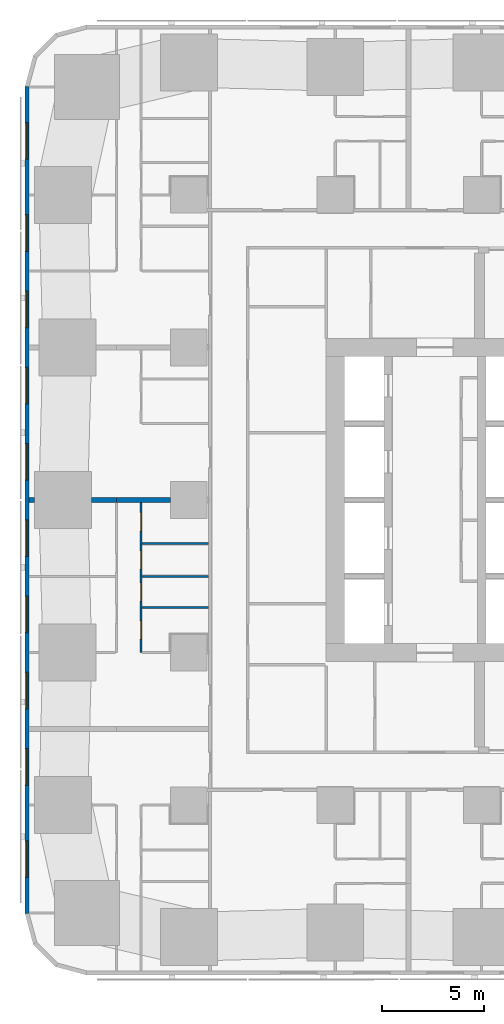
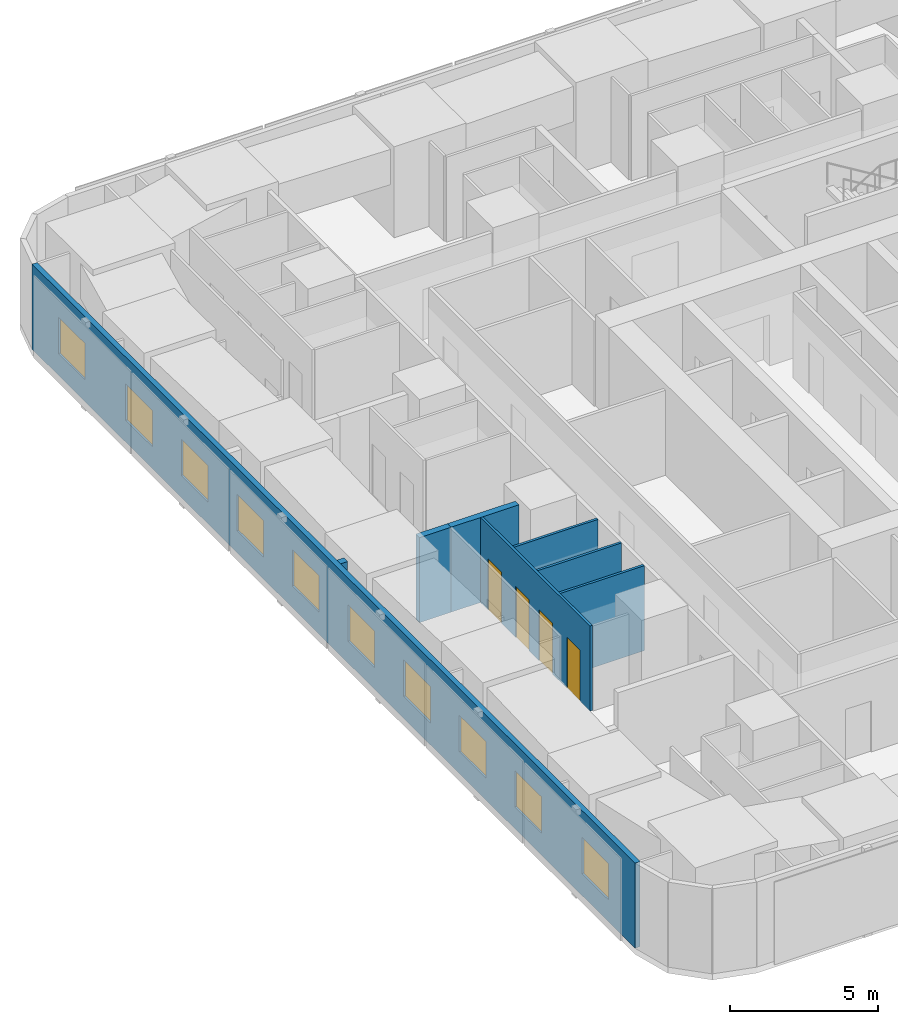
# One storey, part 4 of 16: 10 windows, 8 walls, 4 doors, 14 openings.
"""IFC4 building model written with IfcOpenShell, lengths in metres."""

import ifcopenshell
import ifcopenshell.guid

model = None  # the IFC model being written
_history = None  # IfcOwnerHistory: only IFC2X3 demands one
_inside = {}  # id of a spatial element -> (the spatial element, [elements in it])
_under = {}  # id of a project, library or spatial element -> (it, [spatial elements below it])
_declared = {}  # id of a project -> (the project, [libraries it declares])
_typed = {}  # id of a type object -> (the type object, [elements of that type])
_made_of = {}  # id of a material, layer set ... -> (it, [elements and type objects made of it])


def new_model(schema):
    """Start an empty IFC model of exactly this schema.

    Asked for "IFC4X3", IfcOpenShell would pick the latest addendum, in which some entities
    have other attributes; the version numbers below select the first issue.
    IFC2X3 requires an IfcOwnerHistory on every rooted entity: one is made here for all.
    """
    global model, _history
    if schema == "IFC4X3":
        model = ifcopenshell.file(schema_version=(4, 3, 0, 0))
    else:
        model = ifcopenshell.file(schema=schema)
    _inside.clear()
    _under.clear()
    _declared.clear()
    _typed.clear()
    _made_of.clear()
    _history = None
    if model.schema == "IFC2X3":
        org = make("IfcOrganization", Name="unknown")
        user = make(
            "IfcPersonAndOrganization",
            ThePerson=make("IfcPerson", FamilyName="unknown"),
            TheOrganization=org,
        )
        app = make(
            "IfcApplication",
            ApplicationDeveloper=org,
            Version="unknown",
            ApplicationFullName="unknown",
            ApplicationIdentifier="unknown",
        )
        _history = make(
            "IfcOwnerHistory",
            OwningUser=user,
            OwningApplication=app,
            ChangeAction="ADDED",
            CreationDate=0,
        )
    return model


def make(cls, **values):
    """One entity of the class cls with the attributes given. An attribute that is None is left unset."""
    return model.create_entity(
        cls, **{name: value for name, value in values.items() if value is not None}
    )


def rooted(cls, **values):
    """An entity with a GlobalId (a new one), such as an element, a storey or a relation."""
    return make(cls, GlobalId=ifcopenshell.guid.new(), OwnerHistory=_history, **values)


def si_unit(unit_type, name, prefix=None):
    """IfcSIUnit, for example si_unit("LENGTHUNIT", "METRE", prefix="MILLI")."""
    return make("IfcSIUnit", UnitType=unit_type, Prefix=prefix, Name=name)


def assignment(units):
    """IfcUnitAssignment: the units of a project."""
    return None if units is None else make("IfcUnitAssignment", Units=units)


def point(xyz):
    """IfcCartesianPoint."""
    return None if xyz is None else make("IfcCartesianPoint", Coordinates=xyz)


def direction(xyz):
    """IfcDirection."""
    return None if xyz is None else make("IfcDirection", DirectionRatios=xyz)


def frame(location, z_axis=None, x_axis=None):
    """IfcAxis2Placement3D, a coordinate frame: its origin and axes. An axis left out is left unset."""
    return make(
        "IfcAxis2Placement3D",
        Location=point(location),
        Axis=direction(z_axis),
        RefDirection=direction(x_axis),
    )


def frame_2d(location, x_axis=None):
    """IfcAxis2Placement2D, a coordinate frame in the plane: its origin and x axis."""
    return make(
        "IfcAxis2Placement2D", Location=point(location), RefDirection=direction(x_axis)
    )


def origin():
    """The frame at (0, 0, 0) with its axes left unset."""
    return frame((0.0, 0.0, 0.0))


def place(relative_to, where):
    """IfcLocalPlacement: puts the frame where relative to a parent placement (None: the world)."""
    return make(
        "IfcLocalPlacement", PlacementRelTo=relative_to, RelativePlacement=where
    )


def context(
    kind, dimensions, precision=None, world=None, true_north=None, identifier=None
):
    """IfcGeometricRepresentationContext, for example the 3D "Model" context."""
    return make(
        "IfcGeometricRepresentationContext",
        ContextIdentifier=identifier,
        ContextType=kind,
        CoordinateSpaceDimension=dimensions,
        Precision=precision,
        WorldCoordinateSystem=world,
        TrueNorth=true_north,
    )


def subcontext(parent, identifier, kind, view, scale=None):
    """IfcGeometricRepresentationSubContext, for example "Body" below "Model"."""
    return make(
        "IfcGeometricRepresentationSubContext",
        ContextIdentifier=identifier,
        ContextType=kind,
        ParentContext=parent,
        TargetScale=scale,
        TargetView=view,
    )


def project(units=None, contexts=None):
    """IfcProject with its units and contexts."""
    return rooted(
        "IfcProject",
        Name="project",
        RepresentationContexts=contexts,
        UnitsInContext=assignment(units),
    )


def spatial(cls, under=None, at=None, **own):
    """A site, building, storey or space (cls), placed at a placement, below another one or the project."""
    s = rooted(cls, ObjectPlacement=at, **own)
    if under is not None:
        _under.setdefault(under.id(), (under, []))[1].append(s)
    return s


def profile(cls, at=None, kind="AREA", **sizes):
    """A parametric profile (cls). Its sizes go by their IFC names, for example OverallWidth=200.0."""
    return make(cls, ProfileType=kind, Position=at, **sizes)


def rectangle(**sizes):
    """IfcRectangleProfileDef."""
    return profile("IfcRectangleProfileDef", **sizes)


def extrude(swept, where, along, depth):
    """IfcExtrudedAreaSolid: the profile swept, set in the frame where, extruded along a direction by depth."""
    return make(
        "IfcExtrudedAreaSolid",
        SweptArea=swept,
        Position=where,
        ExtrudedDirection=direction(along),
        Depth=depth,
    )


def shape(context_of_items, identifier, shape_type, items):
    """IfcShapeRepresentation: the items that make up one representation, for example the "Body"."""
    return make(
        "IfcShapeRepresentation",
        ContextOfItems=context_of_items,
        RepresentationIdentifier=identifier,
        RepresentationType=shape_type,
        Items=items,
    )


def material(Name=None, Category=None):
    """IfcMaterial."""
    return make("IfcMaterial", Name=Name, Category=Category)


def layer(
    of_material, thickness, ventilated=None, Name=None, Category=None, Priority=None
):
    """IfcMaterialLayer: one layer of a wall or slab, of a material (None: an air gap)."""
    return make(
        "IfcMaterialLayer",
        Material=of_material,
        LayerThickness=thickness,
        IsVentilated=ventilated,
        Name=Name,
        Category=Category,
        Priority=Priority,
    )


def layer_set(layers, Name=None):
    """IfcMaterialLayerSet."""
    return make("IfcMaterialLayerSet", MaterialLayers=layers, LayerSetName=Name)


def made_of(thing, what):
    """Note that an element or type object is made of a material, layer set ...; save() writes the relation."""
    if what is not None:
        _made_of.setdefault(what.id(), (what, []))[1].append(thing)
    return thing


def type_object(cls, material=None, **own):
    """A type object (cls), such as IfcWallType, which elements share."""
    return made_of(rooted(cls, **own), material)


def element(
    cls,
    number,
    at=None,
    inside=None,
    cuts=None,
    type_object=None,
    material=None,
    context=None,
    identifier="Body",
    shape_type=None,
    held_by="IfcProductDefinitionShape",
    body=None,
    shapes=None,
    **own,
):
    """One element of the class cls, such as IfcWall. Its Tag is "e" and its number.

    at: its placement. inside: the storey or other place that contains it. cuts: it is an
    opening in that element (IfcRelVoidsElement). A single representation is given by context,
    identifier, shape_type and body (its items); several are given by shapes. held_by: the class
    of the entity that holds the representations. save() writes the other relations.
    """
    e = rooted(cls, Tag="e%d" % number, ObjectPlacement=at, **own)
    if body is not None:
        shapes = [shape(context, identifier, shape_type, body)]
    if shapes is not None:
        e.Representation = make(held_by, Representations=shapes)
    if inside is not None:
        _inside.setdefault(inside.id(), (inside, []))[1].append(e)
    if cuts is not None:
        rooted(
            "IfcRelVoidsElement", RelatingBuildingElement=cuts, RelatedOpeningElement=e
        )
    if type_object is not None:
        _typed.setdefault(type_object.id(), (type_object, []))[1].append(e)
    return made_of(e, material)


def fill(opening, filler):
    """IfcRelFillsElement: the door or window that sits in an opening."""
    return rooted(
        "IfcRelFillsElement",
        RelatingOpeningElement=opening,
        RelatedBuildingElement=filler,
    )


def aggregate(whole, parts):
    """IfcRelAggregates: a whole, such as a stair, and the parts it consists of."""
    return rooted("IfcRelAggregates", RelatingObject=whole, RelatedObjects=parts)


def save(model, path):
    """Write the relations noted so far, then the file.

    IfcRelAggregates (storeys below a building ...), IfcRelContainedInSpatialStructure (elements
    in a storey), IfcRelDefinesByType, IfcRelAssociatesMaterial and IfcRelDeclares: one each for
    every whole, place, type object, material and project.
    """
    for whole, parts in _under.values():
        aggregate(whole, parts)
    for where, things in _inside.values():
        rooted(
            "IfcRelContainedInSpatialStructure",
            RelatedElements=things,
            RelatingStructure=where,
        )
    for kind, things in _typed.values():
        rooted("IfcRelDefinesByType", RelatedObjects=things, RelatingType=kind)
    for what, things in _made_of.values():
        rooted("IfcRelAssociatesMaterial", RelatedObjects=things, RelatingMaterial=what)
    for by, libraries in _declared.values():
        rooted("IfcRelDeclares", RelatingContext=by, RelatedDefinitions=libraries)
    model.write(path)


model = new_model("IFC4")

# Units and contexts
model_context = context("Model", 3, precision=1e-05, world=origin(), true_north=direction((0.0, 1.0)))
body_context = subcontext(model_context, "Body", "Model", "MODEL_VIEW")
ifc_project = project(units=[si_unit("LENGTHUNIT", "METRE"), si_unit("AREAUNIT", "SQUARE_METRE"), si_unit("VOLUMEUNIT", "CUBIC_METRE"), si_unit("PLANEANGLEUNIT", "RADIAN"), si_unit("MASSUNIT", "GRAM", prefix="KILO")], contexts=[model_context])

# Site, building, storey
site_placement = place(None, origin())
site = spatial("IfcSite", under=ifc_project, at=site_placement, CompositionType="ELEMENT")
building_placement = place(site_placement, origin())
building = spatial("IfcBuilding", under=site, at=building_placement, Name="Sheger Commons Tower", CompositionType="ELEMENT")
storey_placement = place(building_placement, frame((0.0, 0.0, 57.5)))
storey = spatial("IfcBuildingStorey", under=building, at=storey_placement, Name="L14", CompositionType="ELEMENT", Elevation=57.5)

# Walls
ifc_material_1 = material(Name="Dense concrete block masonry, plastered both sides (separating wall between flats)", Category="masonry")
ifc_layer_1 = layer(ifc_material_1, 0.25)
ifc_layer_set_1 = layer_set([ifc_layer_1], Name="DEMISING WALL 250")
wall_type_1 = type_object("IfcWallType", Name="DEMISING WALL 250", PredefinedType="SOLIDWALL", material=ifc_layer_set_1)
wall_1_placement = place(storey_placement, frame((-0.64990234375, 22.5, 0.0), z_axis=(0.0, 0.0, 1.0), x_axis=(1.0, 0.0, 0.0)))
element("IfcWall", 1, at=wall_1_placement, inside=storey, type_object=wall_type_1, Name="Demising wall L14", PredefinedType="SOLIDWALL", context=body_context, shape_type="SweptSolid", body=[
    extrude(rectangle(XDim=0.27392578125, YDim=0.25, at=frame_2d((0.136962890625, 0.0))), origin(), (0.0, 0.0, 1.0), 3.5),
])
wall_2_placement = place(storey_placement, frame((2.426025390625, 22.5, 0.0), z_axis=(0.0, 0.0, 1.0), x_axis=(1.0, 0.0, 0.0)))
element("IfcWall", 2, at=wall_2_placement, inside=storey, type_object=wall_type_1, Name="Demising wall L14", PredefinedType="SOLIDWALL", context=body_context, shape_type="SweptSolid", body=[
    extrude(rectangle(XDim=1.223876953125, YDim=0.25, at=frame_2d((0.61181640625, 0.0))), origin(), (0.0, 0.0, 1.0), 3.5),
])
wall_3_placement = place(storey_placement, frame((3.64990234375, 22.5, 0.0), z_axis=(0.0, 0.0, 1.0), x_axis=(1.0, 0.0, 0.0)))
element("IfcWall", 3, at=wall_3_placement, inside=storey, type_object=wall_type_1, Name="Demising wall L14", PredefinedType="SOLIDWALL", context=body_context, shape_type="SweptSolid", body=[
    extrude(rectangle(XDim=2.649169921875, YDim=0.25, at=frame_2d((1.32470703125, 0.0))), origin(), (0.0, 0.0, 1.0), 3.5),
])

# Wall, openings, windows
ifc_material_2 = material(Name="Rendered concrete block masonry, dark grey", Category="masonry")
ifc_layer_2 = layer(ifc_material_2, 0.199951171875)
ifc_layer_set_2 = layer_set([ifc_layer_2], Name="FACADE WALL 200")
wall_type_2 = type_object("IfcWallType", Name="FACADE WALL 200", PredefinedType="SOLIDWALL", material=ifc_layer_set_2)
wall_4_placement = place(storey_placement, frame((-0.75, 42.8369140625, 0.0), z_axis=(0.0, 0.0, 1.0), x_axis=(0.0, -1.0, 0.0)))
wall_4 = element("IfcWall", 4, at=wall_4_placement, inside=storey, type_object=wall_type_2, Name="Facade wall L14", PredefinedType="SOLIDWALL", context=body_context, shape_type="SweptSolid", body=[
    extrude(rectangle(XDim=40.673828125, YDim=0.199951171875, at=frame_2d((20.3369140625, 0.0))), origin(), (0.0, 0.0, 1.0), 3.5),
])
opening_1_placement = place(wall_4_placement, frame((1.780029296875, 0.0, 0.89990234375)))
opening_1 = element("IfcOpeningElement", 5, at=opening_1_placement, cuts=wall_4, Name="Opening W2", PredefinedType="OPENING", context=body_context, shape_type="SweptSolid", body=[
    extrude(rectangle(XDim=1.800048828125, YDim=1.5, at=frame_2d((0.89990234375, 0.75))), frame((0.0, 0.10986328125, 0.0), z_axis=(0.0, -1.0, 0.0), x_axis=(1.0, 0.0, 0.0)), (0.0, 0.0, 1.0), 0.219970703125),
])
opening_2_placement = place(wall_4_placement, frame((6.31201171875, 0.0, 0.89990234375)))
opening_2 = element("IfcOpeningElement", 6, at=opening_2_placement, cuts=wall_4, Name="Opening W2", PredefinedType="OPENING", context=body_context, shape_type="SweptSolid", body=[
    extrude(rectangle(XDim=1.800048828125, YDim=1.5, at=frame_2d((0.89990234375, 0.75))), frame((0.0, 0.10986328125, 0.0), z_axis=(0.0, -1.0, 0.0), x_axis=(1.0, 0.0, 0.0)), (0.0, 0.0, 1.0), 0.219970703125),
])
opening_3_placement = place(wall_4_placement, frame((10.06201171875, 0.0, 0.89990234375)))
opening_3 = element("IfcOpeningElement", 7, at=opening_3_placement, cuts=wall_4, Name="Opening W2", PredefinedType="OPENING", context=body_context, shape_type="SweptSolid", body=[
    extrude(rectangle(XDim=1.800048828125, YDim=1.5, at=frame_2d((0.89990234375, 0.75))), frame((0.0, 0.10986328125, 0.0), z_axis=(0.0, -1.0, 0.0), x_axis=(1.0, 0.0, 0.0)), (0.0, 0.0, 1.0), 0.219970703125),
])
opening_4_placement = place(wall_4_placement, frame((13.81201171875, 0.0, 0.89990234375)))
opening_4 = element("IfcOpeningElement", 8, at=opening_4_placement, cuts=wall_4, Name="Opening W2", PredefinedType="OPENING", context=body_context, shape_type="SweptSolid", body=[
    extrude(rectangle(XDim=1.800048828125, YDim=1.5, at=frame_2d((0.89990234375, 0.75))), frame((0.0, 0.10986328125, 0.0), z_axis=(0.0, -1.0, 0.0), x_axis=(1.0, 0.0, 0.0)), (0.0, 0.0, 1.0), 0.219970703125),
])
opening_5_placement = place(wall_4_placement, frame((17.56201171875, 0.0, 0.89990234375)))
opening_5 = element("IfcOpeningElement", 9, at=opening_5_placement, cuts=wall_4, Name="Opening W2", PredefinedType="OPENING", context=body_context, shape_type="SweptSolid", body=[
    extrude(rectangle(XDim=1.800048828125, YDim=1.5, at=frame_2d((0.89990234375, 0.75))), frame((0.0, 0.10986328125, 0.0), z_axis=(0.0, -1.0, 0.0), x_axis=(1.0, 0.0, 0.0)), (0.0, 0.0, 1.0), 0.219970703125),
])
opening_6_placement = place(wall_4_placement, frame((21.31201171875, 0.0, 0.89990234375)))
opening_6 = element("IfcOpeningElement", 10, at=opening_6_placement, cuts=wall_4, Name="Opening W2", PredefinedType="OPENING", context=body_context, shape_type="SweptSolid", body=[
    extrude(rectangle(XDim=1.800048828125, YDim=1.5, at=frame_2d((0.89990234375, 0.75))), frame((0.0, 0.10986328125, 0.0), z_axis=(0.0, -1.0, 0.0), x_axis=(1.0, 0.0, 0.0)), (0.0, 0.0, 1.0), 0.219970703125),
])
opening_7_placement = place(wall_4_placement, frame((25.06201171875, 0.0, 0.89990234375)))
opening_7 = element("IfcOpeningElement", 11, at=opening_7_placement, cuts=wall_4, Name="Opening W2", PredefinedType="OPENING", context=body_context, shape_type="SweptSolid", body=[
    extrude(rectangle(XDim=1.800048828125, YDim=1.5, at=frame_2d((0.89990234375, 0.75))), frame((0.0, 0.10986328125, 0.0), z_axis=(0.0, -1.0, 0.0), x_axis=(1.0, 0.0, 0.0)), (0.0, 0.0, 1.0), 0.219970703125),
])
opening_8_placement = place(wall_4_placement, frame((28.81201171875, 0.0, 0.89990234375)))
opening_8 = element("IfcOpeningElement", 12, at=opening_8_placement, cuts=wall_4, Name="Opening W2", PredefinedType="OPENING", context=body_context, shape_type="SweptSolid", body=[
    extrude(rectangle(XDim=1.800048828125, YDim=1.5, at=frame_2d((0.89990234375, 0.75))), frame((0.0, 0.10986328125, 0.0), z_axis=(0.0, -1.0, 0.0), x_axis=(1.0, 0.0, 0.0)), (0.0, 0.0, 1.0), 0.219970703125),
])
opening_9_placement = place(wall_4_placement, frame((32.56201171875, 0.0, 0.89990234375)))
opening_9 = element("IfcOpeningElement", 13, at=opening_9_placement, cuts=wall_4, Name="Opening W2", PredefinedType="OPENING", context=body_context, shape_type="SweptSolid", body=[
    extrude(rectangle(XDim=1.800048828125, YDim=1.5, at=frame_2d((0.89990234375, 0.75))), frame((0.0, 0.10986328125, 0.0), z_axis=(0.0, -1.0, 0.0), x_axis=(1.0, 0.0, 0.0)), (0.0, 0.0, 1.0), 0.219970703125),
])
opening_10_placement = place(wall_4_placement, frame((37.093994140625, 0.0, 0.89990234375)))
opening_10 = element("IfcOpeningElement", 14, at=opening_10_placement, cuts=wall_4, Name="Opening W2", PredefinedType="OPENING", context=body_context, shape_type="SweptSolid", body=[
    extrude(rectangle(XDim=1.800048828125, YDim=1.5, at=frame_2d((0.89990234375, 0.75))), frame((0.0, 0.10986328125, 0.0), z_axis=(0.0, -1.0, 0.0), x_axis=(1.0, 0.0, 0.0)), (0.0, 0.0, 1.0), 0.219970703125),
])
ifc_material_3 = material(Name="Black aluminium frame, dark tinted double glazing", Category="aluminium")
window_type = type_object("IfcWindowType", Name="WINDOW W2 1800x1500", PartitioningType="SINGLE_PANEL", PredefinedType="WINDOW", material=ifc_material_3)
window_1_placement = place(opening_1_placement, origin())
window_1 = element("IfcWindow", 15, at=window_1_placement, inside=storey, type_object=window_type, Name="Window W2 1800X1500", OverallHeight=1.5, OverallWidth=1.800048828125, PartitioningType="SINGLE_PANEL", PredefinedType="WINDOW", context=body_context, shape_type="SweptSolid", body=[
    extrude(rectangle(XDim=1.800048828125, YDim=1.5, at=frame_2d((0.89990234375, 0.75))), frame((0.0, 0.030029296875, 0.0), z_axis=(0.0, -1.0, 0.0), x_axis=(1.0, 0.0, 0.0)), (0.0, 0.0, 1.0), 0.06005859375),
])
fill(opening_1, window_1)
window_2_placement = place(opening_2_placement, origin())
window_2 = element("IfcWindow", 16, at=window_2_placement, inside=storey, type_object=window_type, Name="Window W2 1800X1500", OverallHeight=1.5, OverallWidth=1.800048828125, PartitioningType="SINGLE_PANEL", PredefinedType="WINDOW", context=body_context, shape_type="SweptSolid", body=[
    extrude(rectangle(XDim=1.800048828125, YDim=1.5, at=frame_2d((0.89990234375, 0.75))), frame((0.0, 0.030029296875, 0.0), z_axis=(0.0, -1.0, 0.0), x_axis=(1.0, 0.0, 0.0)), (0.0, 0.0, 1.0), 0.06005859375),
])
fill(opening_2, window_2)
window_3_placement = place(opening_3_placement, origin())
window_3 = element("IfcWindow", 17, at=window_3_placement, inside=storey, type_object=window_type, Name="Window W2 1800X1500", OverallHeight=1.5, OverallWidth=1.800048828125, PartitioningType="SINGLE_PANEL", PredefinedType="WINDOW", context=body_context, shape_type="SweptSolid", body=[
    extrude(rectangle(XDim=1.800048828125, YDim=1.5, at=frame_2d((0.89990234375, 0.75))), frame((0.0, 0.030029296875, 0.0), z_axis=(0.0, -1.0, 0.0), x_axis=(1.0, 0.0, 0.0)), (0.0, 0.0, 1.0), 0.06005859375),
])
fill(opening_3, window_3)
window_4_placement = place(opening_4_placement, origin())
window_4 = element("IfcWindow", 18, at=window_4_placement, inside=storey, type_object=window_type, Name="Window W2 1800X1500", OverallHeight=1.5, OverallWidth=1.800048828125, PartitioningType="SINGLE_PANEL", PredefinedType="WINDOW", context=body_context, shape_type="SweptSolid", body=[
    extrude(rectangle(XDim=1.800048828125, YDim=1.5, at=frame_2d((0.89990234375, 0.75))), frame((0.0, 0.030029296875, 0.0), z_axis=(0.0, -1.0, 0.0), x_axis=(1.0, 0.0, 0.0)), (0.0, 0.0, 1.0), 0.06005859375),
])
fill(opening_4, window_4)
window_5_placement = place(opening_5_placement, origin())
window_5 = element("IfcWindow", 19, at=window_5_placement, inside=storey, type_object=window_type, Name="Window W2 1800X1500", OverallHeight=1.5, OverallWidth=1.800048828125, PartitioningType="SINGLE_PANEL", PredefinedType="WINDOW", context=body_context, shape_type="SweptSolid", body=[
    extrude(rectangle(XDim=1.800048828125, YDim=1.5, at=frame_2d((0.89990234375, 0.75))), frame((0.0, 0.030029296875, 0.0), z_axis=(0.0, -1.0, 0.0), x_axis=(1.0, 0.0, 0.0)), (0.0, 0.0, 1.0), 0.06005859375),
])
fill(opening_5, window_5)
window_6_placement = place(opening_6_placement, origin())
window_6 = element("IfcWindow", 20, at=window_6_placement, inside=storey, type_object=window_type, Name="Window W2 1800X1500", OverallHeight=1.5, OverallWidth=1.800048828125, PartitioningType="SINGLE_PANEL", PredefinedType="WINDOW", context=body_context, shape_type="SweptSolid", body=[
    extrude(rectangle(XDim=1.800048828125, YDim=1.5, at=frame_2d((0.89990234375, 0.75))), frame((0.0, 0.030029296875, 0.0), z_axis=(0.0, -1.0, 0.0), x_axis=(1.0, 0.0, 0.0)), (0.0, 0.0, 1.0), 0.06005859375),
])
fill(opening_6, window_6)
window_7_placement = place(opening_7_placement, origin())
window_7 = element("IfcWindow", 21, at=window_7_placement, inside=storey, type_object=window_type, Name="Window W2 1800X1500", OverallHeight=1.5, OverallWidth=1.800048828125, PartitioningType="SINGLE_PANEL", PredefinedType="WINDOW", context=body_context, shape_type="SweptSolid", body=[
    extrude(rectangle(XDim=1.800048828125, YDim=1.5, at=frame_2d((0.89990234375, 0.75))), frame((0.0, 0.030029296875, 0.0), z_axis=(0.0, -1.0, 0.0), x_axis=(1.0, 0.0, 0.0)), (0.0, 0.0, 1.0), 0.06005859375),
])
fill(opening_7, window_7)
window_8_placement = place(opening_8_placement, origin())
window_8 = element("IfcWindow", 22, at=window_8_placement, inside=storey, type_object=window_type, Name="Window W2 1800X1500", OverallHeight=1.5, OverallWidth=1.800048828125, PartitioningType="SINGLE_PANEL", PredefinedType="WINDOW", context=body_context, shape_type="SweptSolid", body=[
    extrude(rectangle(XDim=1.800048828125, YDim=1.5, at=frame_2d((0.89990234375, 0.75))), frame((0.0, 0.030029296875, 0.0), z_axis=(0.0, -1.0, 0.0), x_axis=(1.0, 0.0, 0.0)), (0.0, 0.0, 1.0), 0.06005859375),
])
fill(opening_8, window_8)
window_9_placement = place(opening_9_placement, origin())
window_9 = element("IfcWindow", 23, at=window_9_placement, inside=storey, type_object=window_type, Name="Window W2 1800X1500", OverallHeight=1.5, OverallWidth=1.800048828125, PartitioningType="SINGLE_PANEL", PredefinedType="WINDOW", context=body_context, shape_type="SweptSolid", body=[
    extrude(rectangle(XDim=1.800048828125, YDim=1.5, at=frame_2d((0.89990234375, 0.75))), frame((0.0, 0.030029296875, 0.0), z_axis=(0.0, -1.0, 0.0), x_axis=(1.0, 0.0, 0.0)), (0.0, 0.0, 1.0), 0.06005859375),
])
fill(opening_9, window_9)
window_10_placement = place(opening_10_placement, origin())
window_10 = element("IfcWindow", 24, at=window_10_placement, inside=storey, type_object=window_type, Name="Window W2 1800X1500", OverallHeight=1.5, OverallWidth=1.800048828125, PartitioningType="SINGLE_PANEL", PredefinedType="WINDOW", context=body_context, shape_type="SweptSolid", body=[
    extrude(rectangle(XDim=1.800048828125, YDim=1.5, at=frame_2d((0.89990234375, 0.75))), frame((0.0, 0.030029296875, 0.0), z_axis=(0.0, -1.0, 0.0), x_axis=(1.0, 0.0, 0.0)), (0.0, 0.0, 1.0), 0.06005859375),
])
fill(opening_10, window_10)

# Wall, openings, doors
ifc_material_4 = material(Name="Gypsum board on steel studs", Category="steel")
ifc_layer_3 = layer(ifc_material_4, 0.10009765625)
ifc_layer_set_3 = layer_set([ifc_layer_3], Name="PARTITION 100")
wall_type_3 = type_object("IfcWallType", Name="PARTITION 100", PredefinedType="PARTITIONING", material=ifc_layer_set_3)
wall_5_placement = place(storey_placement, frame((4.85009765625, 15.0, 0.0), z_axis=(0.0, 0.0, 1.0), x_axis=(0.0, 1.0, 0.0)))
wall_5 = element("IfcWall", 25, at=wall_5_placement, inside=storey, type_object=wall_type_3, Name="Partition L14", PredefinedType="PARTITIONING", context=body_context, shape_type="SweptSolid", body=[
    extrude(rectangle(XDim=7.375, YDim=0.10009765625, at=frame_2d((3.6875, 0.0))), origin(), (0.0, 0.0, 1.0), 3.5),
])
opening_11_placement = place(wall_5_placement, frame((0.655029296875, 0.0, 0.0)))
opening_11 = element("IfcOpeningElement", 26, at=opening_11_placement, cuts=wall_5, Name="Opening D2", PredefinedType="OPENING", context=body_context, shape_type="SweptSolid", body=[
    extrude(rectangle(XDim=0.89990234375, YDim=2.10009765625, at=frame_2d((0.449951171875, 1.050048828125))), frame((0.0, 0.06005859375, 0.0), z_axis=(0.0, -1.0, 0.0), x_axis=(1.0, 0.0, 0.0)), (0.0, 0.0, 1.0), 0.1201171875),
])
opening_12_placement = place(wall_5_placement, frame((4.10009765625, 0.0, 0.0)))
opening_12 = element("IfcOpeningElement", 27, at=opening_12_placement, cuts=wall_5, Name="Opening D2", PredefinedType="OPENING", context=body_context, shape_type="SweptSolid", body=[
    extrude(rectangle(XDim=0.89990234375, YDim=2.10009765625, at=frame_2d((0.449951171875, 1.050048828125))), frame((0.0, 0.06005859375, 0.0), z_axis=(0.0, -1.0, 0.0), x_axis=(1.0, 0.0, 0.0)), (0.0, 0.0, 1.0), 0.1201171875),
])
opening_13_placement = place(wall_5_placement, frame((2.530029296875, 0.0, 0.0)))
opening_13 = element("IfcOpeningElement", 28, at=opening_13_placement, cuts=wall_5, Name="Opening D2", PredefinedType="OPENING", context=body_context, shape_type="SweptSolid", body=[
    extrude(rectangle(XDim=0.89990234375, YDim=2.10009765625, at=frame_2d((0.449951171875, 1.050048828125))), frame((0.0, 0.06005859375, 0.0), z_axis=(0.0, -1.0, 0.0), x_axis=(1.0, 0.0, 0.0)), (0.0, 0.0, 1.0), 0.1201171875),
])
opening_14_placement = place(wall_5_placement, frame((5.97509765625, 0.0, 0.0)))
opening_14 = element("IfcOpeningElement", 29, at=opening_14_placement, cuts=wall_5, Name="Opening D2", PredefinedType="OPENING", context=body_context, shape_type="SweptSolid", body=[
    extrude(rectangle(XDim=0.89990234375, YDim=2.10009765625, at=frame_2d((0.449951171875, 1.050048828125))), frame((0.0, 0.06005859375, 0.0), z_axis=(0.0, -1.0, 0.0), x_axis=(1.0, 0.0, 0.0)), (0.0, 0.0, 1.0), 0.1201171875),
])
ifc_material_5 = material(Name="Timber door set", Category="wood")
door_type = type_object("IfcDoorType", Name="INTERNAL DOOR 900x2100", OperationType="NOTDEFINED", PredefinedType="DOOR", material=ifc_material_5)
door_1_placement = place(opening_11_placement, origin())
door_1 = element("IfcDoor", 30, at=door_1_placement, inside=storey, type_object=door_type, Name="Bathroom door", OperationType="SINGLE_SWING_RIGHT", OverallHeight=2.10009765625, OverallWidth=0.89990234375, PredefinedType="DOOR", context=body_context, shape_type="SweptSolid", body=[
    extrude(rectangle(XDim=0.89990234375, YDim=2.10009765625, at=frame_2d((0.449951171875, 1.050048828125))), frame((0.0, 0.02490234375, 0.0), z_axis=(0.0, -1.0, 0.0), x_axis=(1.0, 0.0, 0.0)), (0.0, 0.0, 1.0), 0.050048828125),
])
fill(opening_11, door_1)
door_2_placement = place(opening_12_placement, origin())
door_2 = element("IfcDoor", 31, at=door_2_placement, inside=storey, type_object=door_type, Name="Shower room door", OperationType="SINGLE_SWING_RIGHT", OverallHeight=2.10009765625, OverallWidth=0.89990234375, PredefinedType="DOOR", context=body_context, shape_type="SweptSolid", body=[
    extrude(rectangle(XDim=0.89990234375, YDim=2.10009765625, at=frame_2d((0.449951171875, 1.050048828125))), frame((0.0, 0.02490234375, 0.0), z_axis=(0.0, -1.0, 0.0), x_axis=(1.0, 0.0, 0.0)), (0.0, 0.0, 1.0), 0.050048828125),
])
fill(opening_12, door_2)
door_3_placement = place(opening_13_placement, origin())
door_3 = element("IfcDoor", 32, at=door_3_placement, inside=storey, type_object=door_type, Name="Store door", OperationType="SINGLE_SWING_RIGHT", OverallHeight=2.10009765625, OverallWidth=0.89990234375, PredefinedType="DOOR", context=body_context, shape_type="SweptSolid", body=[
    extrude(rectangle(XDim=0.89990234375, YDim=2.10009765625, at=frame_2d((0.449951171875, 1.050048828125))), frame((0.0, 0.02490234375, 0.0), z_axis=(0.0, -1.0, 0.0), x_axis=(1.0, 0.0, 0.0)), (0.0, 0.0, 1.0), 0.050048828125),
])
fill(opening_13, door_3)
door_4_placement = place(opening_14_placement, origin())
door_4 = element("IfcDoor", 33, at=door_4_placement, inside=storey, type_object=door_type, Name="Store door", OperationType="SINGLE_SWING_LEFT", OverallHeight=2.10009765625, OverallWidth=0.89990234375, PredefinedType="DOOR", context=body_context, shape_type="SweptSolid", body=[
    extrude(rectangle(XDim=0.89990234375, YDim=2.10009765625, at=frame_2d((0.449951171875, 1.050048828125))), frame((0.0, 0.02490234375, 0.0), z_axis=(0.0, -1.0, 0.0), x_axis=(1.0, 0.0, 0.0)), (0.0, 0.0, 1.0), 0.050048828125),
])
fill(opening_14, door_4)

# Walls
for number, where, z_axis, x_axis, name in (
    (34, (4.89990234375, 18.75, 0.0), (0.0, 0.0, 1.0), (1.0, 0.0, 0.0), "Partition L14"),
    (35, (4.89990234375, 17.2099609375, 0.0), (0.0, 0.0, 1.0), (1.0, 0.0, 0.0), "Partition L14"),
    (36, (4.89990234375, 20.35009765625, 0.0), (0.0, 0.0, 1.0), (1.0, 0.0, 0.0), "Partition L14"),
):
    element("IfcWall", number, at=place(storey_placement, frame(where, z_axis=z_axis, x_axis=x_axis)), inside=storey, type_object=wall_type_3, Name=name, PredefinedType="PARTITIONING", context=body_context, shape_type="SweptSolid", body=[
        extrude(rectangle(XDim=3.275146484375, YDim=0.10009765625, at=frame_2d((1.6376953125, 0.0))), origin(), (0.0, 0.0, 1.0), 3.5),
    ])

save(model, "model.ifc")
